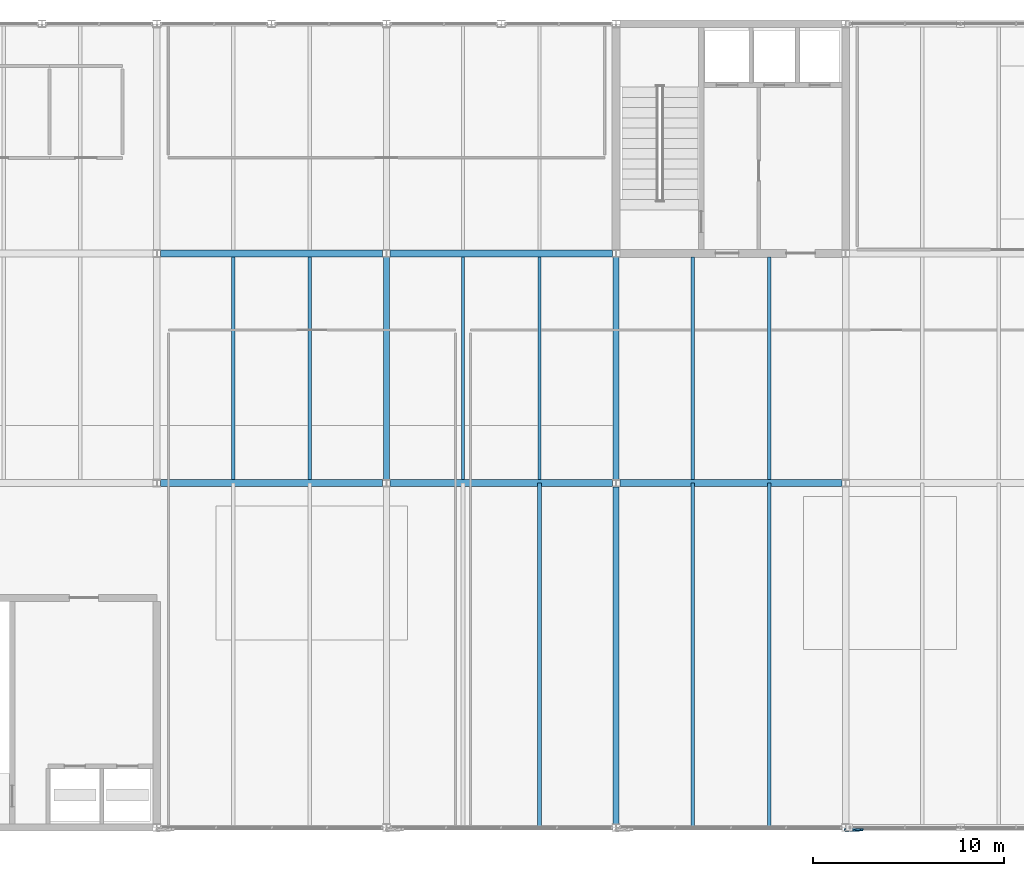
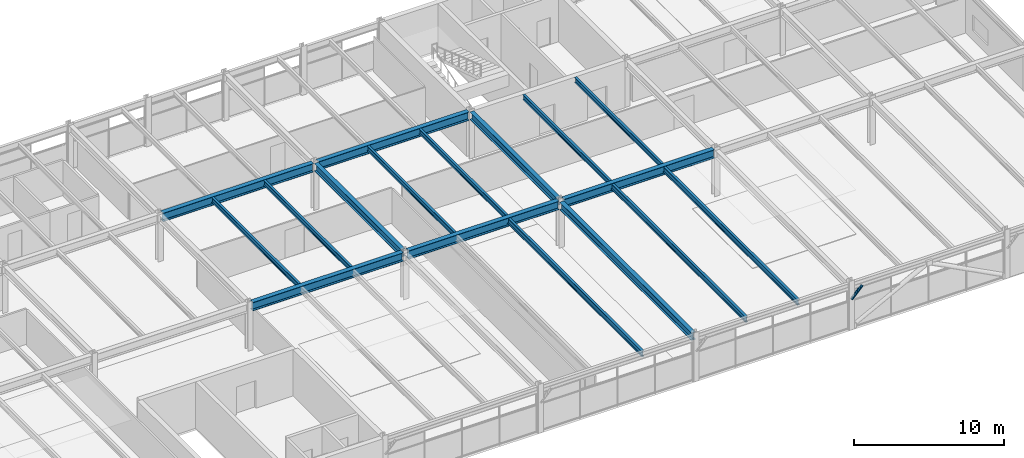
# One storey, part 32 of 52: 17 beams, 1 member.
"""IFC4 building model written with IfcOpenShell, lengths in metres."""

from ifc_helpers import new_model, si_unit, direction, frame, origin, origin_2d, place, context, subcontext, project, spatial, hollow_circle, i_section, extrude, material, material_profile, profile_set, type_object, element, save


model = new_model("IFC4")

# Units and contexts
model_context = context("Model", 3, precision=1e-05, world=origin(), true_north=direction((0.0, 1.0)))
body_context = subcontext(model_context, "Body", "Model", "MODEL_VIEW")
ifc_project = project(units=[si_unit("LENGTHUNIT", "METRE"), si_unit("AREAUNIT", "SQUARE_METRE"), si_unit("VOLUMEUNIT", "CUBIC_METRE"), si_unit("PLANEANGLEUNIT", "RADIAN"), si_unit("MASSUNIT", "GRAM", prefix="KILO")], contexts=[model_context])

# Site, building, storey
site_placement = place(None, origin())
site = spatial("IfcSite", under=ifc_project, at=site_placement, CompositionType="ELEMENT")
building_placement = place(site_placement, origin())
building = spatial("IfcBuilding", under=site, at=building_placement, Name="Girod Span Mobility Hub", CompositionType="ELEMENT")
storey_placement = place(building_placement, frame((0.0, 0.0, 45.60009765625)))
storey = spatial("IfcBuildingStorey", under=building, at=storey_placement, Name="L11", CompositionType="ELEMENT", Elevation=45.60009765625)

# Beams
ifc_material_1 = material(Name="Steel A992 Grade 50", Category="steel")
ifc_material_profile_1 = material_profile(ifc_material_1, i_section(OverallWidth=0.178955078125, OverallDepth=0.409912109375, WebThickness=0.0087890625, FlangeThickness=0.014404296875, FilletRadius=0.012939453125, at=origin_2d()), Name="W16X45")
ifc_profile_set_1 = profile_set([ifc_material_profile_1], Name="Steel A992 Grade 50")
beam_type_1 = type_object("IfcBeamType", Name="BM-STL-W16X45", PredefinedType="BEAM", material=ifc_profile_set_1)
for number, where, z_axis, x_axis, name in (
    (1, (88.0, 45.174560546875, 3.635009765625), (0.0, 1.0, 0.0), (-1.0, 0.0, 0.0), "Composite Floorbeam 8/D-1 L11"),
    (2, (92.0, 45.174560546875, 3.635009765625), (0.0, 1.0, 0.0), (-1.0, 0.0, 0.0), "Composite Floorbeam 8/D-2 L11"),
    (3, (100.0, 45.174560546875, 3.635009765625), (0.0, 1.0, 0.0), (-1.0, 0.0, 0.0), "Composite Floorbeam 9/D-1 L11"),
    (4, (104.0, 45.174560546875, 3.635009765625), (0.0, 1.0, 0.0), (-1.0, 0.0, 0.0), "Composite Floorbeam 9/D-2 L11"),
):
    element("IfcBeam", number, at=place(storey_placement, frame(where, z_axis=z_axis, x_axis=x_axis)), inside=storey, type_object=beam_type_1, Name=name, PredefinedType="BEAM", context=body_context, shape_type="SweptSolid", body=[
        extrude(i_section(OverallWidth=0.178955078125, OverallDepth=0.409912109375, WebThickness=0.0087890625, FlangeThickness=0.014404296875, FilletRadius=0.012939453125, at=origin_2d()), origin(), (0.0, 0.0, 1.0), 11.65087890625),
    ])
for number, where, z_axis, x_axis, name in (
    (5, (112.0, 45.174560546875, 3.635009765625), (0.0, 1.0, 0.0), (-1.0, 0.0, 0.0), "Composite Floorbeam 10/D-1 L11"),
    (6, (116.0, 45.174560546875, 3.635009765625), (0.0, 1.0, 0.0), (-1.0, 0.0, 0.0), "Composite Floorbeam 10/D-2 L11"),
):
    element("IfcBeam", number, at=place(storey_placement, frame(where, z_axis=z_axis, x_axis=x_axis)), inside=storey, type_object=beam_type_1, Name=name, PredefinedType="BEAM", context=body_context, shape_type="SweptSolid", body=[
        extrude(i_section(OverallWidth=0.178955078125, OverallDepth=0.409912109375, WebThickness=0.0087890625, FlangeThickness=0.014404296875, FilletRadius=0.012939453125, at=origin_2d()), origin(), (0.0, 0.0, 1.0), 11.62841796875),
    ])
ifc_material_2 = material(Name="Steel A992 Grade 50", Category="steel")
ifc_material_profile_2 = material_profile(ifc_material_2, i_section(OverallWidth=0.19189453125, OverallDepth=0.462890625, WebThickness=0.010498046875, FlangeThickness=0.017578125, FilletRadius=0.013916015625, at=origin_2d()), Name="W18X60")
ifc_profile_set_2 = profile_set([ifc_material_profile_2], Name="Steel A992 Grade 50")
beam_type_2 = type_object("IfcBeamType", Name="BM-STL-W18X60", PredefinedType="BEAM", material=ifc_profile_set_2)
for number, where, z_axis, x_axis, name in (
    (7, (104.0, 27.0048828125, 3.5283203125), (0.0, 1.0, 0.0), (-1.0, 0.0, 0.0), "Composite Floorbeam 9/C-2 L11"),
    (8, (112.0, 27.0048828125, 3.5283203125), (0.0, 1.0, 0.0), (-1.0, 0.0, 0.0), "Composite Floorbeam 10/C-1 L11"),
    (9, (116.0, 27.0048828125, 3.5283203125), (0.0, 1.0, 0.0), (-1.0, 0.0, 0.0), "Composite Floorbeam 10/C-2 L11"),
):
    element("IfcBeam", number, at=place(storey_placement, frame(where, z_axis=z_axis, x_axis=x_axis)), inside=storey, type_object=beam_type_2, Name=name, PredefinedType="BEAM", context=body_context, shape_type="SweptSolid", body=[
        extrude(i_section(OverallWidth=0.19189453125, OverallDepth=0.462890625, WebThickness=0.010498046875, FlangeThickness=0.017578125, FilletRadius=0.013916015625, at=origin_2d()), origin(), (0.0, 0.0, 1.0), 17.990234375),
    ])
ifc_material_3 = material(Name="Steel A992 Grade 50", Category="steel")
ifc_material_profile_3 = material_profile(ifc_material_3, i_section(OverallWidth=0.323974609375, OverallDepth=0.611083984375, WebThickness=0.0126953125, FlangeThickness=0.01904296875, FilletRadius=0.014892578125, at=origin_2d()), Name="W24X104")
ifc_profile_set_3 = profile_set([ifc_material_profile_3], Name="Steel A992 Grade 50")
beam_type_3 = type_object("IfcBeamType", Name="BM-STL-W24X104", PredefinedType="BEAM", material=ifc_profile_set_3)
beam_1_placement = place(storey_placement, frame((96.0, 45.193603515625, 3.534423828125), z_axis=(0.0, 1.0, 0.0), x_axis=(-1.0, 0.0, 0.0)))
element("IfcBeam", 10, at=beam_1_placement, inside=storey, type_object=beam_type_3, Name="Tie Girder 9/D-E L11", PredefinedType="BEAM", context=body_context, shape_type="SweptSolid", body=[
    extrude(i_section(OverallWidth=0.323974609375, OverallDepth=0.611083984375, WebThickness=0.0126953125, FlangeThickness=0.01904296875, FilletRadius=0.014892578125, at=origin_2d()), origin(), (0.0, 0.0, 1.0), 11.61279296875),
])
beam_2_placement = place(storey_placement, frame((108.0, 27.1845703125, 3.454345703125), z_axis=(0.0, 1.0, 0.0), x_axis=(-1.0, 0.0, 0.0)))
element("IfcBeam", 11, at=beam_2_placement, inside=storey, type_object=beam_type_3, Name="Tie Girder 10/C-D L11", PredefinedType="BEAM", context=body_context, shape_type="SweptSolid", body=[
    extrude(i_section(OverallWidth=0.323974609375, OverallDepth=0.611083984375, WebThickness=0.0126953125, FlangeThickness=0.01904296875, FilletRadius=0.014892578125, at=origin_2d()), origin(), (0.0, 0.0, 1.0), 17.621826171875),
])
beam_3_placement = place(storey_placement, frame((108.0, 45.193603515625, 3.534423828125), z_axis=(0.0, 1.0, 0.0), x_axis=(-1.0, 0.0, 0.0)))
element("IfcBeam", 12, at=beam_3_placement, inside=storey, type_object=beam_type_3, Name="Tie Girder 10/D-E L11", PredefinedType="BEAM", context=body_context, shape_type="SweptSolid", body=[
    extrude(i_section(OverallWidth=0.323974609375, OverallDepth=0.611083984375, WebThickness=0.0126953125, FlangeThickness=0.01904296875, FilletRadius=0.014892578125, at=origin_2d()), origin(), (0.0, 0.0, 1.0), 11.61279296875),
])
ifc_material_4 = material(Name="Steel A992 Grade 50", Category="steel")
ifc_material_profile_4 = material_profile(ifc_material_4, i_section(OverallWidth=0.35498046875, OverallDepth=0.695068359375, WebThickness=0.015380859375, FlangeThickness=0.02490234375, FilletRadius=0.01806640625, at=origin_2d()), Name="W27X146")
ifc_profile_set_4 = profile_set([ifc_material_profile_4], Name="Steel A992 Grade 50")
beam_type_4 = type_object("IfcBeamType", Name="BM-STL-W27X146", PredefinedType="BEAM", material=ifc_profile_set_4)
for number, where, z_axis, x_axis, name in (
    (13, (84.196533203125, 45.0, 3.492431640625), (1.0, 0.0, 0.0), (0.0, 1.0, 0.0), "Girder 8-9/D L11"),
    (14, (96.196533203125, 45.0, 3.492431640625), (1.0, 0.0, 0.0), (0.0, 1.0, 0.0), "Girder 9-10/D L11"),
    (15, (108.196533203125, 45.0, 3.492431640625), (1.0, 0.0, 0.0), (0.0, 1.0, 0.0), "Girder 10-11/D L11"),
    (16, (84.196533203125, 57.0, 3.492431640625), (1.0, 0.0, 0.0), (0.0, 1.0, 0.0), "Girder 8-9/E L11"),
    (17, (96.196533203125, 57.0, 3.492431640625), (1.0, 0.0, 0.0), (0.0, 1.0, 0.0), "Girder 9-10/E L11"),
):
    element("IfcBeam", number, at=place(storey_placement, frame(where, z_axis=z_axis, x_axis=x_axis)), inside=storey, type_object=beam_type_4, Name=name, PredefinedType="BEAM", context=body_context, shape_type="SweptSolid", body=[
        extrude(i_section(OverallWidth=0.35498046875, OverallDepth=0.695068359375, WebThickness=0.015380859375, FlangeThickness=0.02490234375, FilletRadius=0.01806640625, at=origin_2d()), origin(), (0.0, 0.0, 1.0), 11.60693359375),
    ])

# Member
ifc_material_5 = material(Name="Steel HSS A500 Grade C", Category="steel")
ifc_material_profile_5 = material_profile(ifc_material_5, hollow_circle(Radius=0.109619140625, WallThickness=0.0087890625, at=origin_2d()), Name="HSS219X9.5")
ifc_profile_set_5 = profile_set([ifc_material_profile_5], Name="Steel HSS A500 Grade C")
member_type = type_object("IfcMemberType", Name="MB-ST-HSS219", PredefinedType="STRUT", material=ifc_profile_set_5)
member_placement = place(storey_placement, frame((120.0, 26.8798828125, 2.449951171875), z_axis=(0.706816330442, 0.033290602583, 0.706613338963), x_axis=(-0.047047213483, 0.998892666758, 0.0)))
element("IfcMember", 18, at=member_placement, inside=storey, type_object=member_type, Name="Solar Shading Knee Strut 11 L11", PredefinedType="STRUT", context=body_context, shape_type="SweptSolid", body=[
    extrude(hollow_circle(Radius=0.109619140625, WallThickness=0.0087890625, at=origin_2d()), origin(), (0.0, 0.0, 1.0), 1.20263671875),
])

save(model, "model.ifc")
